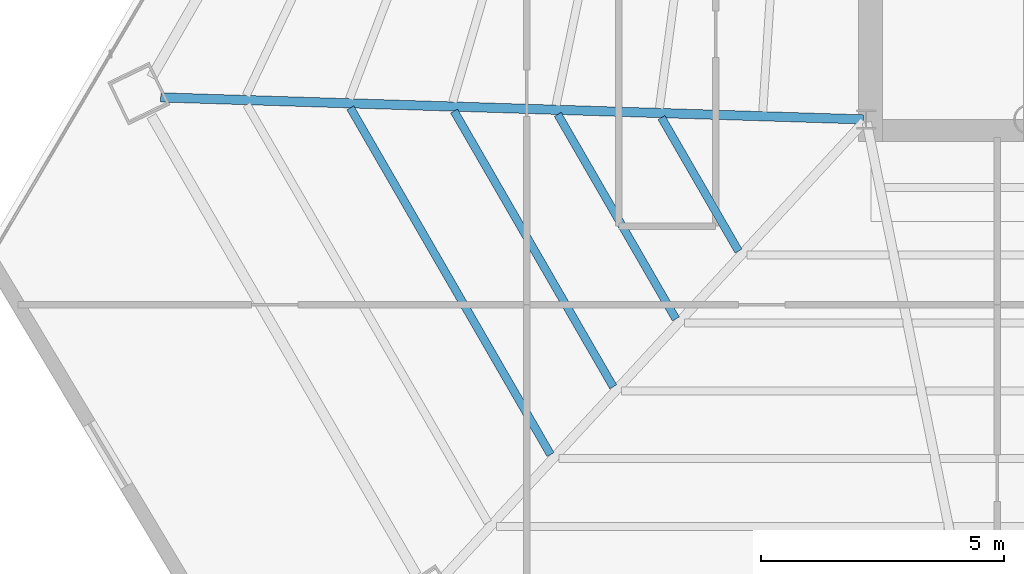
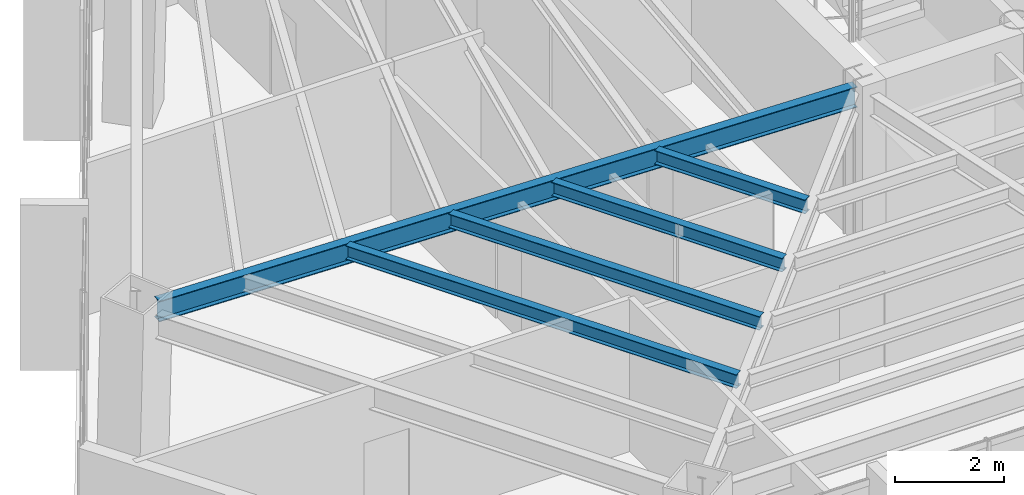
# One storey, part 7 of 41: 5 beams.
"""IFC4 building model written with IfcOpenShell, lengths in metres."""

from ifc_helpers import new_model, si_unit, direction, frame, origin, origin_2d, place, context, subcontext, project, spatial, i_section, extrude, source, transform, mapped, material, material_profile, profile_set, type_object, type_shapes, element, save


model = new_model("IFC4")

# Units and contexts
model_context = context("Model", 3, precision=1e-05, world=origin(), true_north=direction((0.0, 1.0)))
body_context = subcontext(model_context, "Body", "Model", "MODEL_VIEW")
ifc_project = project(units=[si_unit("LENGTHUNIT", "METRE"), si_unit("AREAUNIT", "SQUARE_METRE"), si_unit("VOLUMEUNIT", "CUBIC_METRE"), si_unit("PLANEANGLEUNIT", "RADIAN"), si_unit("MASSUNIT", "GRAM", prefix="KILO")], contexts=[model_context])

# Site, building, storey
site_placement = place(None, origin())
site = spatial("IfcSite", under=ifc_project, at=site_placement, CompositionType="ELEMENT")
building_placement = place(site_placement, origin())
building = spatial("IfcBuilding", under=site, at=building_placement, Name="Caelisora Broadcast Tower", CompositionType="ELEMENT")
storey_placement = place(building_placement, frame((0.0, 0.0, 165.800048828125)))
storey = spatial("IfcBuildingStorey", under=building, at=storey_placement, Name="L43", CompositionType="ELEMENT", Elevation=165.800048828125)

# Beams
ifc_material = material(Name="Steel Grade 350 (AS/NZS 3679.1)", Category="steel")
ifc_material_profile_1 = material_profile(ifc_material, i_section(OverallWidth=0.19091796875, OverallDepth=0.46044921875, WebThickness=0.010009765625, FlangeThickness=0.01611328125, at=origin_2d()), Name="Steel Grade 350 (AS/NZS 3679.1)")
ifc_profile_set_1 = profile_set([ifc_material_profile_1], Name="Steel Grade 350 (AS/NZS 3679.1)")
beam_type_1 = type_object("IfcBeamType", Name="PG06", PredefinedType="BEAM", material=ifc_profile_set_1)
shared_shape_1 = source(origin(), body_context, "Body", "SweptSolid", [
    extrude(i_section(OverallWidth=0.19091796875, OverallDepth=0.46044921875, WebThickness=0.010009765625, FlangeThickness=0.01611328125, at=origin_2d()), origin(), (0.0, 0.0, 1.0), 14.492919921875),
])
type_shapes(beam_type_1, [shared_shape_1])
beam_1_placement = place(storey_placement, frame((30.43994140625, 17.40185546875, 3.169677734375), z_axis=(-0.999509541876, 0.031315742042, 0.0), x_axis=(-0.031315742042, -0.999509541876, 0.0)))
element("IfcBeam", 1, at=beam_1_placement, inside=storey, type_object=beam_type_1, Name="L43 beam PG06", PredefinedType="BEAM", context=body_context, shape_type="MappedRepresentation", body=[
    mapped(shared_shape_1, transform((0.0, 0.0, 0.0), scale=1.0)),
])
ifc_material_profile_2 = material_profile(ifc_material, i_section(OverallWidth=0.166015625, OverallDepth=0.30712890625, WebThickness=0.006591796875, FlangeThickness=0.01171875, at=origin_2d()), Name="Steel Grade 350 (AS/NZS 3679.1)")
ifc_profile_set_2 = profile_set([ifc_material_profile_2], Name="Steel Grade 350 (AS/NZS 3679.1)")
beam_type_2 = type_object("IfcBeamType", Name="SB03", PredefinedType="JOIST", material=ifc_profile_set_2)
shared_shape_2 = source(origin(), body_context, "Body", "SweptSolid", [
    extrude(i_section(OverallWidth=0.166015625, OverallDepth=0.30712890625, WebThickness=0.006591796875, FlangeThickness=0.01171875, at=origin_2d()), origin(), (0.0, 0.0, 1.0), 3.17822265625),
])
beam_2_placement = place(storey_placement, frame((26.27880859375, 17.439208984375, 3.246337890625), z_axis=(0.499997295977, -0.866026964947, 0.0), x_axis=(0.866026964947, 0.499997295977, 0.0)))
element("IfcBeam", 2, at=beam_2_placement, inside=storey, type_object=beam_type_2, Name="L43 beam SB03", PredefinedType="JOIST", context=body_context, shape_type="MappedRepresentation", body=[
    mapped(shared_shape_2, transform((0.0, 0.0, 0.0), scale=1.0)),
])
shared_shape_3 = source(origin(), body_context, "Body", "SweptSolid", [
    extrude(i_section(OverallWidth=0.166015625, OverallDepth=0.30712890625, WebThickness=0.006591796875, FlangeThickness=0.01171875, at=origin_2d()), origin(), (0.0, 0.0, 1.0), 4.870361328125),
])
beam_3_placement = place(storey_placement, frame((24.140869140625, 17.506103515625, 3.246337890625), z_axis=(0.499966893215, -0.866044517152, 0.0), x_axis=(0.866044517152, 0.499966893215, 0.0)))
element("IfcBeam", 3, at=beam_3_placement, inside=storey, type_object=beam_type_2, Name="L43 beam SB03", PredefinedType="JOIST", context=body_context, shape_type="MappedRepresentation", body=[
    mapped(shared_shape_3, transform((0.0, 0.0, 0.0), scale=1.0)),
])
shared_shape_4 = source(origin(), body_context, "Body", "SweptSolid", [
    extrude(i_section(OverallWidth=0.166015625, OverallDepth=0.30712890625, WebThickness=0.006591796875, FlangeThickness=0.01171875, at=origin_2d()), origin(), (0.0, 0.0, 1.0), 6.56298828125),
])
beam_4_placement = place(storey_placement, frame((22.002685546875, 17.572998046875, 3.246337890625), z_axis=(0.500007971981, -0.86602080111, 0.0), x_axis=(0.86602080111, 0.500007971981, 0.0)))
element("IfcBeam", 4, at=beam_4_placement, inside=storey, type_object=beam_type_2, Name="L43 beam SB03", PredefinedType="JOIST", context=body_context, shape_type="MappedRepresentation", body=[
    mapped(shared_shape_4, transform((0.0, 0.0, 0.0), scale=1.0)),
])
shared_shape_5 = source(origin(), body_context, "Body", "SweptSolid", [
    extrude(i_section(OverallWidth=0.166015625, OverallDepth=0.30712890625, WebThickness=0.006591796875, FlangeThickness=0.01171875, at=origin_2d()), origin(), (0.0, 0.0, 1.0), 8.2548828125),
])
type_shapes(beam_type_2, [shared_shape_2, shared_shape_3, shared_shape_4, shared_shape_5])
beam_5_placement = place(storey_placement, frame((19.86474609375, 17.639892578125, 3.246337890625), z_axis=(0.500022833518, -0.866012220445, 0.0), x_axis=(0.866012220445, 0.500022833518, 0.0)))
element("IfcBeam", 5, at=beam_5_placement, inside=storey, type_object=beam_type_2, Name="L43 beam SB03", PredefinedType="JOIST", context=body_context, shape_type="MappedRepresentation", body=[
    mapped(shared_shape_5, transform((0.0, 0.0, 0.0), scale=1.0)),
])

save(model, "model.ifc")
